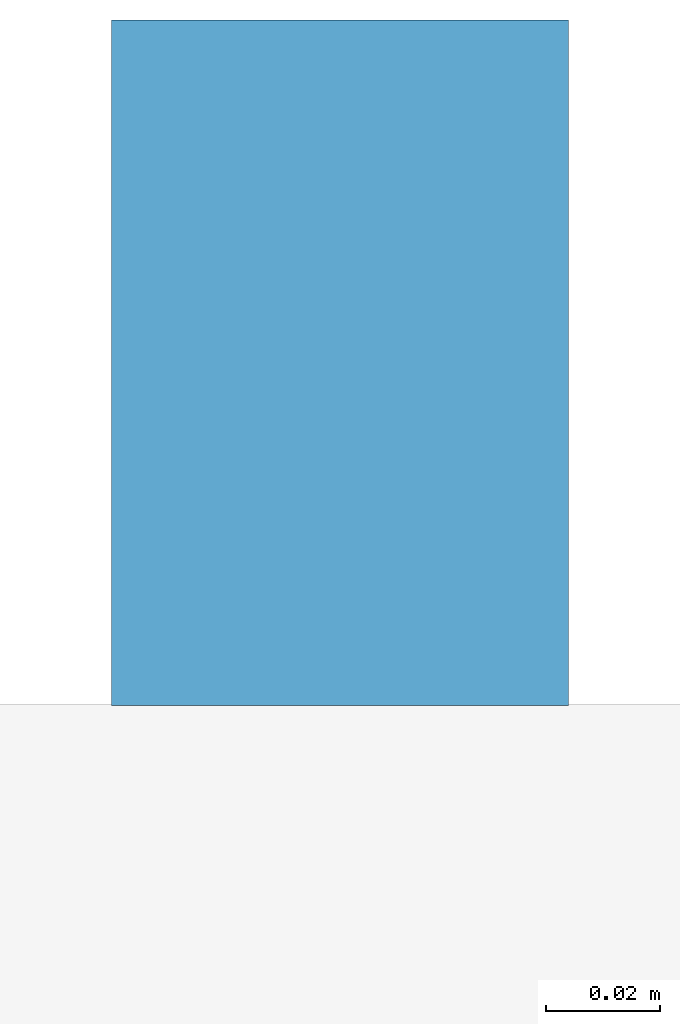
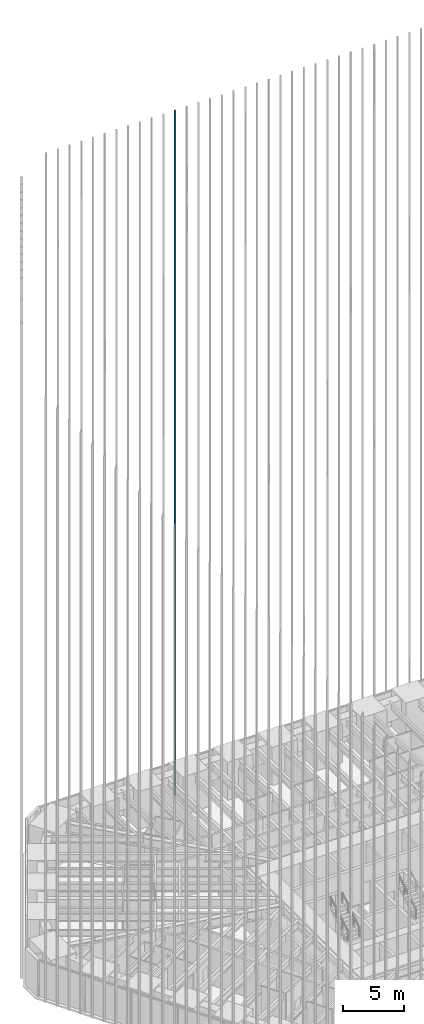
# One storey, part 180 of 256: 1 member, 1 element without a shape of its own.
"""IFC4 building model written with IfcOpenShell, lengths in metres."""

from ifc_helpers import new_model, si_unit, direction, frame, origin, origin_2d, place, context, subcontext, project, spatial, rectangle, extrude, material, material_profile, profile_set, type_object, element, aggregate, save


model = new_model("IFC4")

# Units and contexts
model_context = context("Model", 3, precision=1e-05, world=origin(), true_north=direction((0.0, 1.0)))
body_context = subcontext(model_context, "Body", "Model", "MODEL_VIEW")
ifc_project = project(units=[si_unit("LENGTHUNIT", "METRE"), si_unit("AREAUNIT", "SQUARE_METRE"), si_unit("VOLUMEUNIT", "CUBIC_METRE"), si_unit("PLANEANGLEUNIT", "RADIAN"), si_unit("MASSUNIT", "GRAM", prefix="KILO")], contexts=[model_context])

# Site, building, storey
site_placement = place(None, origin())
site = spatial("IfcSite", under=ifc_project, at=site_placement, CompositionType="ELEMENT")
building_placement = place(site_placement, origin())
building = spatial("IfcBuilding", under=site, at=building_placement, Name="Sandreach Pilgrim Tower", CompositionType="ELEMENT")
storey_placement = place(building_placement, frame((0.0, 0.0, 23.0)))
storey = spatial("IfcBuildingStorey", under=building, at=storey_placement, Name="L04", CompositionType="ELEMENT", Elevation=23.0)

# Curtain wall, member
ifc_material_1 = material(Name="Aluminium framed curtain wall", Category="aluminium")
curtain_wall_type = type_object("IfcCurtainWallType", Name="Hostel tower curtain wall", PredefinedType="NOTDEFINED", material=ifc_material_1)
curtain_wall_placement = place(storey_placement, origin())
curtain_wall = element("IfcCurtainWall", 1, at=curtain_wall_placement, inside=storey, type_object=curtain_wall_type, Name="CW-1 L04 N", PredefinedType="NOTDEFINED")
ifc_material_2 = material(Name="Extruded terracotta on aluminium core", Category="masonry")
ifc_material_profile = material_profile(ifc_material_2, rectangle(XDim=0.080078125, YDim=0.1201171875, at=origin_2d()), Name="TBN 80X120")
ifc_profile_set = profile_set([ifc_material_profile], Name="Extruded terracotta on aluminium core")
member_type = type_object("IfcMemberType", Name="Terracotta baguette north", PredefinedType="USERDEFINED", material=ifc_profile_set)
member_placement = place(storey_placement, frame((-6.626708984375, 24.30859375, 0.0), z_axis=(0.0, 0.0, 1.0), x_axis=(1.0, 0.0, 0.0)))
member = element("IfcMember", 2, at=member_placement, type_object=member_type, Name="Baguette Z1 N12", ObjectType="BAGUETTE", PredefinedType="USERDEFINED", context=body_context, shape_type="SweptSolid", body=[
    extrude(rectangle(XDim=0.080078125, YDim=0.1201171875, at=origin_2d()), origin(), (0.0, 0.0, 1.0), 68.239990234375),
])
aggregate(curtain_wall, [member])

save(model, "model.ifc")
